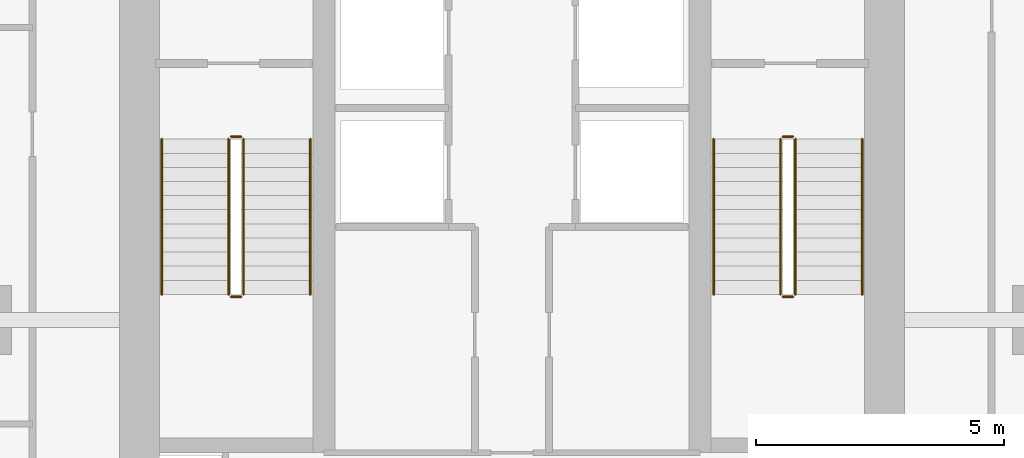
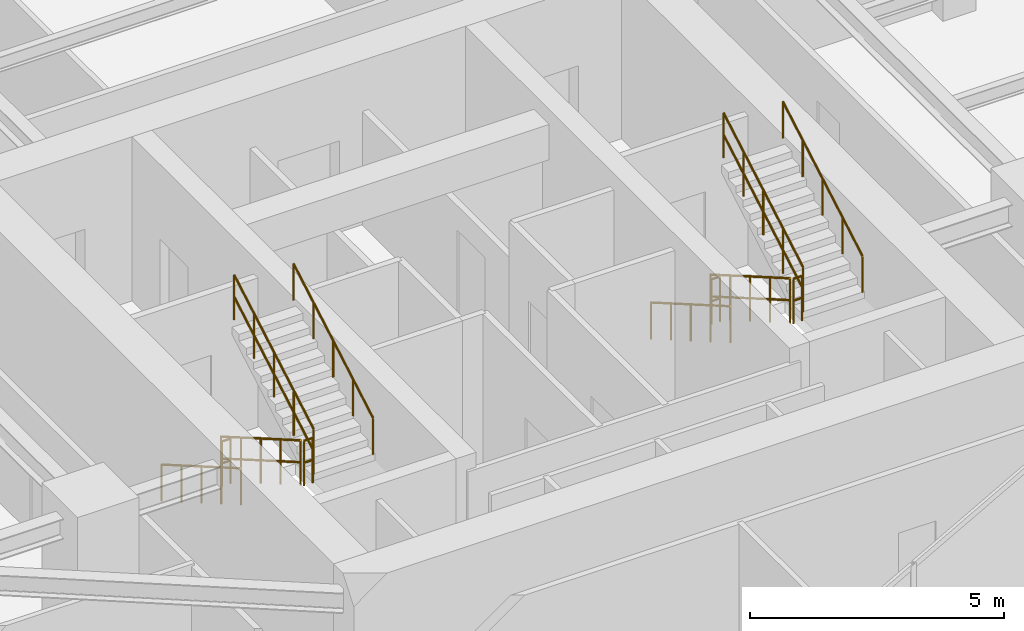
# One storey, part 21 of 22: 12 railings.
"""IFC4 building model written with IfcOpenShell, lengths in metres."""

import ifcopenshell
import ifcopenshell.guid

model = None  # the IFC model being written
_history = None  # IfcOwnerHistory: only IFC2X3 demands one
_inside = {}  # id of a spatial element -> (the spatial element, [elements in it])
_under = {}  # id of a project, library or spatial element -> (it, [spatial elements below it])
_declared = {}  # id of a project -> (the project, [libraries it declares])
_typed = {}  # id of a type object -> (the type object, [elements of that type])
_made_of = {}  # id of a material, layer set ... -> (it, [elements and type objects made of it])


def new_model(schema):
    """Start an empty IFC model of exactly this schema.

    Asked for "IFC4X3", IfcOpenShell would pick the latest addendum, in which some entities
    have other attributes; the version numbers below select the first issue.
    IFC2X3 requires an IfcOwnerHistory on every rooted entity: one is made here for all.
    """
    global model, _history
    if schema == "IFC4X3":
        model = ifcopenshell.file(schema_version=(4, 3, 0, 0))
    else:
        model = ifcopenshell.file(schema=schema)
    _inside.clear()
    _under.clear()
    _declared.clear()
    _typed.clear()
    _made_of.clear()
    _history = None
    if model.schema == "IFC2X3":
        org = make("IfcOrganization", Name="unknown")
        user = make(
            "IfcPersonAndOrganization",
            ThePerson=make("IfcPerson", FamilyName="unknown"),
            TheOrganization=org,
        )
        app = make(
            "IfcApplication",
            ApplicationDeveloper=org,
            Version="unknown",
            ApplicationFullName="unknown",
            ApplicationIdentifier="unknown",
        )
        _history = make(
            "IfcOwnerHistory",
            OwningUser=user,
            OwningApplication=app,
            ChangeAction="ADDED",
            CreationDate=0,
        )
    return model


def make(cls, **values):
    """One entity of the class cls with the attributes given. An attribute that is None is left unset."""
    return model.create_entity(
        cls, **{name: value for name, value in values.items() if value is not None}
    )


def rooted(cls, **values):
    """An entity with a GlobalId (a new one), such as an element, a storey or a relation."""
    return make(cls, GlobalId=ifcopenshell.guid.new(), OwnerHistory=_history, **values)


def si_unit(unit_type, name, prefix=None):
    """IfcSIUnit, for example si_unit("LENGTHUNIT", "METRE", prefix="MILLI")."""
    return make("IfcSIUnit", UnitType=unit_type, Prefix=prefix, Name=name)


def assignment(units):
    """IfcUnitAssignment: the units of a project."""
    return None if units is None else make("IfcUnitAssignment", Units=units)


def point(xyz):
    """IfcCartesianPoint."""
    return None if xyz is None else make("IfcCartesianPoint", Coordinates=xyz)


def direction(xyz):
    """IfcDirection."""
    return None if xyz is None else make("IfcDirection", DirectionRatios=xyz)


def frame(location, z_axis=None, x_axis=None):
    """IfcAxis2Placement3D, a coordinate frame: its origin and axes. An axis left out is left unset."""
    return make(
        "IfcAxis2Placement3D",
        Location=point(location),
        Axis=direction(z_axis),
        RefDirection=direction(x_axis),
    )


def frame_2d(location, x_axis=None):
    """IfcAxis2Placement2D, a coordinate frame in the plane: its origin and x axis."""
    return make(
        "IfcAxis2Placement2D", Location=point(location), RefDirection=direction(x_axis)
    )


def origin():
    """The frame at (0, 0, 0) with its axes left unset."""
    return frame((0.0, 0.0, 0.0))


def origin_2d():
    """The frame at (0, 0) in the plane with its x axis left unset."""
    return frame_2d((0.0, 0.0))


def place(relative_to, where):
    """IfcLocalPlacement: puts the frame where relative to a parent placement (None: the world)."""
    return make(
        "IfcLocalPlacement", PlacementRelTo=relative_to, RelativePlacement=where
    )


def context(
    kind, dimensions, precision=None, world=None, true_north=None, identifier=None
):
    """IfcGeometricRepresentationContext, for example the 3D "Model" context."""
    return make(
        "IfcGeometricRepresentationContext",
        ContextIdentifier=identifier,
        ContextType=kind,
        CoordinateSpaceDimension=dimensions,
        Precision=precision,
        WorldCoordinateSystem=world,
        TrueNorth=true_north,
    )


def subcontext(parent, identifier, kind, view, scale=None):
    """IfcGeometricRepresentationSubContext, for example "Body" below "Model"."""
    return make(
        "IfcGeometricRepresentationSubContext",
        ContextIdentifier=identifier,
        ContextType=kind,
        ParentContext=parent,
        TargetScale=scale,
        TargetView=view,
    )


def project(units=None, contexts=None):
    """IfcProject with its units and contexts."""
    return rooted(
        "IfcProject",
        Name="project",
        RepresentationContexts=contexts,
        UnitsInContext=assignment(units),
    )


def spatial(cls, under=None, at=None, **own):
    """A site, building, storey or space (cls), placed at a placement, below another one or the project."""
    s = rooted(cls, ObjectPlacement=at, **own)
    if under is not None:
        _under.setdefault(under.id(), (under, []))[1].append(s)
    return s


def profile(cls, at=None, kind="AREA", **sizes):
    """A parametric profile (cls). Its sizes go by their IFC names, for example OverallWidth=200.0."""
    return make(cls, ProfileType=kind, Position=at, **sizes)


def circle(**sizes):
    """IfcCircleProfileDef."""
    return profile("IfcCircleProfileDef", **sizes)


def extrude(swept, where, along, depth):
    """IfcExtrudedAreaSolid: the profile swept, set in the frame where, extruded along a direction by depth."""
    return make(
        "IfcExtrudedAreaSolid",
        SweptArea=swept,
        Position=where,
        ExtrudedDirection=direction(along),
        Depth=depth,
    )


def shape(context_of_items, identifier, shape_type, items):
    """IfcShapeRepresentation: the items that make up one representation, for example the "Body"."""
    return make(
        "IfcShapeRepresentation",
        ContextOfItems=context_of_items,
        RepresentationIdentifier=identifier,
        RepresentationType=shape_type,
        Items=items,
    )


def material(Name=None, Category=None):
    """IfcMaterial."""
    return make("IfcMaterial", Name=Name, Category=Category)


def layer(
    of_material, thickness, ventilated=None, Name=None, Category=None, Priority=None
):
    """IfcMaterialLayer: one layer of a wall or slab, of a material (None: an air gap)."""
    return make(
        "IfcMaterialLayer",
        Material=of_material,
        LayerThickness=thickness,
        IsVentilated=ventilated,
        Name=Name,
        Category=Category,
        Priority=Priority,
    )


def layer_set(layers, Name=None):
    """IfcMaterialLayerSet."""
    return make("IfcMaterialLayerSet", MaterialLayers=layers, LayerSetName=Name)


def made_of(thing, what):
    """Note that an element or type object is made of a material, layer set ...; save() writes the relation."""
    if what is not None:
        _made_of.setdefault(what.id(), (what, []))[1].append(thing)
    return thing


def type_object(cls, material=None, **own):
    """A type object (cls), such as IfcWallType, which elements share."""
    return made_of(rooted(cls, **own), material)


def element(
    cls,
    number,
    at=None,
    inside=None,
    cuts=None,
    type_object=None,
    material=None,
    context=None,
    identifier="Body",
    shape_type=None,
    held_by="IfcProductDefinitionShape",
    body=None,
    shapes=None,
    **own,
):
    """One element of the class cls, such as IfcWall. Its Tag is "e" and its number.

    at: its placement. inside: the storey or other place that contains it. cuts: it is an
    opening in that element (IfcRelVoidsElement). A single representation is given by context,
    identifier, shape_type and body (its items); several are given by shapes. held_by: the class
    of the entity that holds the representations. save() writes the other relations.
    """
    e = rooted(cls, Tag="e%d" % number, ObjectPlacement=at, **own)
    if body is not None:
        shapes = [shape(context, identifier, shape_type, body)]
    if shapes is not None:
        e.Representation = make(held_by, Representations=shapes)
    if inside is not None:
        _inside.setdefault(inside.id(), (inside, []))[1].append(e)
    if cuts is not None:
        rooted(
            "IfcRelVoidsElement", RelatingBuildingElement=cuts, RelatedOpeningElement=e
        )
    if type_object is not None:
        _typed.setdefault(type_object.id(), (type_object, []))[1].append(e)
    return made_of(e, material)


def aggregate(whole, parts):
    """IfcRelAggregates: a whole, such as a stair, and the parts it consists of."""
    return rooted("IfcRelAggregates", RelatingObject=whole, RelatedObjects=parts)


def save(model, path):
    """Write the relations noted so far, then the file.

    IfcRelAggregates (storeys below a building ...), IfcRelContainedInSpatialStructure (elements
    in a storey), IfcRelDefinesByType, IfcRelAssociatesMaterial and IfcRelDeclares: one each for
    every whole, place, type object, material and project.
    """
    for whole, parts in _under.values():
        aggregate(whole, parts)
    for where, things in _inside.values():
        rooted(
            "IfcRelContainedInSpatialStructure",
            RelatedElements=things,
            RelatingStructure=where,
        )
    for kind, things in _typed.values():
        rooted("IfcRelDefinesByType", RelatedObjects=things, RelatingType=kind)
    for what, things in _made_of.values():
        rooted("IfcRelAssociatesMaterial", RelatedObjects=things, RelatingMaterial=what)
    for by, libraries in _declared.values():
        rooted("IfcRelDeclares", RelatingContext=by, RelatedDefinitions=libraries)
    model.write(path)


model = new_model("IFC4")

# Units and contexts
model_context = context("Model", 3, precision=1e-05, world=origin(), true_north=direction((0.0, 1.0)))
body_context = subcontext(model_context, "Body", "Model", "MODEL_VIEW")
ifc_project = project(units=[si_unit("LENGTHUNIT", "METRE"), si_unit("AREAUNIT", "SQUARE_METRE"), si_unit("VOLUMEUNIT", "CUBIC_METRE"), si_unit("PLANEANGLEUNIT", "RADIAN"), si_unit("MASSUNIT", "GRAM", prefix="KILO")], contexts=[model_context])

# Site, building, storey
site_placement = place(None, origin())
site = spatial("IfcSite", under=ifc_project, at=site_placement, CompositionType="ELEMENT")
building_placement = place(site_placement, origin())
building = spatial("IfcBuilding", under=site, at=building_placement, Name="Krantzveldt Concourse Tower", CompositionType="ELEMENT")
storey_placement = place(building_placement, frame((0.0, 0.0, 314.800048828125)))
storey = spatial("IfcBuildingStorey", under=building, at=storey_placement, Name="L77", CompositionType="ELEMENT", Elevation=314.800048828125)

# Railings
ifc_material = material(Name="Stainless steel 316L", Category="steel")
ifc_layer_1 = layer(ifc_material, 0.06005859375, Name="Stainless steel 316L", Category="steel")
ifc_layer_set_1 = layer_set([ifc_layer_1], Name="Stainless steel 316L (RL-GUARD-1120)")
railing_type_1 = type_object("IfcRailingType", Name="RL-GUARD-1120", PredefinedType="GUARDRAIL", material=ifc_layer_set_1)
railing_1_placement = place(storey_placement, frame((30.280029296875, 19.550048828125, 0.16455078125)))
element("IfcRailing", 1, at=railing_1_placement, inside=storey, type_object=railing_type_1, Name="L77 ST-1 stair guard 1", PredefinedType="GUARDRAIL", context=body_context, shape_type="SweptSolid", body=[
    extrude(circle(Radius=0.02392578125, at=origin_2d()), frame((0.0, 0.0, 1.076171875), z_axis=(0.0, -0.865989039225, 0.500062979975), x_axis=(1.0, 0.0, 0.0)), (0.0, 0.0, 1.0), 3.6201171875),
    extrude(circle(Radius=0.02392578125, at=origin_2d()), frame((0.0, 0.0, 0.550048828125), z_axis=(0.0, -0.865989039225, 0.500062979975), x_axis=(1.0, 0.0, 0.0)), (0.0, 0.0, 1.0), 3.6201171875),
    extrude(circle(Radius=0.02099609375, at=origin_2d()), origin(), (0.0, 0.0, 1.0), 1.052001953125),
    extrude(circle(Radius=0.02099609375, at=origin_2d()), frame((0.0, -0.78369140625, 0.45263671875)), (0.0, 0.0, 1.0), 1.052001953125),
    extrude(circle(Radius=0.02099609375, at=origin_2d()), frame((0.0, -1.5673828125, 0.9052734375)), (0.0, 0.0, 1.0), 1.052001953125),
    extrude(circle(Radius=0.02099609375, at=origin_2d()), frame((0.0, -2.351318359375, 1.357666015625)), (0.0, 0.0, 1.0), 1.052001953125),
    extrude(circle(Radius=0.02099609375, at=origin_2d()), frame((0.0, -3.135009765625, 1.810302734375)), (0.0, 0.0, 1.0), 1.052001953125),
])
railing_2_placement = place(storey_placement, frame((30.330078125, 16.364990234375, 1.974853515625)))
element("IfcRailing", 2, at=railing_2_placement, inside=storey, type_object=railing_type_1, Name="L77 ST-1 stair guard 2", PredefinedType="GUARDRAIL", context=body_context, shape_type="SweptSolid", body=[
    extrude(circle(Radius=0.02392578125, at=origin_2d()), frame((0.0, 0.0, 1.076171875), z_axis=(1.0, 0.0, 0.0), x_axis=(0.0, 1.0, 0.0)), (0.0, 0.0, 1.0), 0.199951171875),
    extrude(circle(Radius=0.02392578125, at=origin_2d()), frame((0.0, 0.0, 0.550048828125), z_axis=(1.0, 0.0, 0.0), x_axis=(0.0, 1.0, 0.0)), (0.0, 0.0, 1.0), 0.199951171875),
    extrude(circle(Radius=0.02099609375, at=origin_2d()), origin(), (0.0, 0.0, 1.0), 1.052001953125),
    extrude(circle(Radius=0.02099609375, at=origin_2d()), frame((0.199951171875, 0.0, 0.0)), (0.0, 0.0, 1.0), 1.052001953125),
])
railing_3_placement = place(storey_placement, frame((30.580078125, 16.4150390625, 2.1396484375)))
element("IfcRailing", 3, at=railing_3_placement, inside=storey, type_object=railing_type_1, Name="L77 ST-1 stair guard 3", PredefinedType="GUARDRAIL", context=body_context, shape_type="SweptSolid", body=[
    extrude(circle(Radius=0.02392578125, at=origin_2d()), frame((0.0, 0.0, 1.076171875), z_axis=(0.0, 0.865989039225, 0.500062979975), x_axis=(-1.0, 0.0, 0.0)), (0.0, 0.0, 1.0), 3.6201171875),
    extrude(circle(Radius=0.02392578125, at=origin_2d()), frame((0.0, 0.0, 0.550048828125), z_axis=(0.0, 0.865989039225, 0.500062979975), x_axis=(-1.0, 0.0, 0.0)), (0.0, 0.0, 1.0), 3.6201171875),
    extrude(circle(Radius=0.02099609375, at=origin_2d()), origin(), (0.0, 0.0, 1.0), 1.052001953125),
    extrude(circle(Radius=0.02099609375, at=origin_2d()), frame((0.0, 0.78369140625, 0.45263671875)), (0.0, 0.0, 1.0), 1.052001953125),
    extrude(circle(Radius=0.02099609375, at=origin_2d()), frame((0.0, 1.5673828125, 0.9052734375)), (0.0, 0.0, 1.0), 1.052001953125),
    extrude(circle(Radius=0.02099609375, at=origin_2d()), frame((0.0, 2.351318359375, 1.357666015625)), (0.0, 0.0, 1.0), 1.052001953125),
    extrude(circle(Radius=0.02099609375, at=origin_2d()), frame((0.0, 3.135009765625, 1.810302734375)), (0.0, 0.0, 1.0), 1.052001953125),
])
railing_4_placement = place(storey_placement, frame((30.330078125, 19.60009765625, 0.0)))
element("IfcRailing", 4, at=railing_4_placement, inside=storey, type_object=railing_type_1, Name="L77 ST-1 stair guard 4", PredefinedType="GUARDRAIL", context=body_context, shape_type="SweptSolid", body=[
    extrude(circle(Radius=0.02392578125, at=origin_2d()), frame((0.0, 0.0, 1.076171875), z_axis=(1.0, 0.0, 0.0), x_axis=(0.0, 1.0, 0.0)), (0.0, 0.0, 1.0), 0.199951171875),
    extrude(circle(Radius=0.02392578125, at=origin_2d()), frame((0.0, 0.0, 0.550048828125), z_axis=(1.0, 0.0, 0.0), x_axis=(0.0, 1.0, 0.0)), (0.0, 0.0, 1.0), 0.199951171875),
    extrude(circle(Radius=0.02099609375, at=origin_2d()), origin(), (0.0, 0.0, 1.0), 1.052001953125),
    extrude(circle(Radius=0.02099609375, at=origin_2d()), frame((0.199951171875, 0.0, 0.0)), (0.0, 0.0, 1.0), 1.052001953125),
])
railing_5_placement = place(storey_placement, frame((41.419921875, 19.550048828125, 0.16455078125)))
element("IfcRailing", 5, at=railing_5_placement, inside=storey, type_object=railing_type_1, Name="L77 ST-2 stair guard 1", PredefinedType="GUARDRAIL", context=body_context, shape_type="SweptSolid", body=[
    extrude(circle(Radius=0.02392578125, at=origin_2d()), frame((0.0, 0.0, 1.076171875), z_axis=(0.0, -0.865989039225, 0.500062979975), x_axis=(1.0, 0.0, 0.0)), (0.0, 0.0, 1.0), 3.6201171875),
    extrude(circle(Radius=0.02392578125, at=origin_2d()), frame((0.0, 0.0, 0.550048828125), z_axis=(0.0, -0.865989039225, 0.500062979975), x_axis=(1.0, 0.0, 0.0)), (0.0, 0.0, 1.0), 3.6201171875),
    extrude(circle(Radius=0.02099609375, at=origin_2d()), origin(), (0.0, 0.0, 1.0), 1.052001953125),
    extrude(circle(Radius=0.02099609375, at=origin_2d()), frame((0.0, -0.78369140625, 0.45263671875)), (0.0, 0.0, 1.0), 1.052001953125),
    extrude(circle(Radius=0.02099609375, at=origin_2d()), frame((0.0, -1.5673828125, 0.9052734375)), (0.0, 0.0, 1.0), 1.052001953125),
    extrude(circle(Radius=0.02099609375, at=origin_2d()), frame((0.0, -2.351318359375, 1.357666015625)), (0.0, 0.0, 1.0), 1.052001953125),
    extrude(circle(Radius=0.02099609375, at=origin_2d()), frame((0.0, -3.135009765625, 1.810302734375)), (0.0, 0.0, 1.0), 1.052001953125),
])
railing_6_placement = place(storey_placement, frame((41.469970703125, 16.364990234375, 1.974853515625)))
element("IfcRailing", 6, at=railing_6_placement, inside=storey, type_object=railing_type_1, Name="L77 ST-2 stair guard 2", PredefinedType="GUARDRAIL", context=body_context, shape_type="SweptSolid", body=[
    extrude(circle(Radius=0.02392578125, at=origin_2d()), frame((0.0, 0.0, 1.076171875), z_axis=(1.0, 0.0, 0.0), x_axis=(0.0, 1.0, 0.0)), (0.0, 0.0, 1.0), 0.199951171875),
    extrude(circle(Radius=0.02392578125, at=origin_2d()), frame((0.0, 0.0, 0.550048828125), z_axis=(1.0, 0.0, 0.0), x_axis=(0.0, 1.0, 0.0)), (0.0, 0.0, 1.0), 0.199951171875),
    extrude(circle(Radius=0.02099609375, at=origin_2d()), origin(), (0.0, 0.0, 1.0), 1.052001953125),
    extrude(circle(Radius=0.02099609375, at=origin_2d()), frame((0.199951171875, 0.0, 0.0)), (0.0, 0.0, 1.0), 1.052001953125),
])
railing_7_placement = place(storey_placement, frame((41.719970703125, 16.4150390625, 2.1396484375)))
element("IfcRailing", 7, at=railing_7_placement, inside=storey, type_object=railing_type_1, Name="L77 ST-2 stair guard 3", PredefinedType="GUARDRAIL", context=body_context, shape_type="SweptSolid", body=[
    extrude(circle(Radius=0.02392578125, at=origin_2d()), frame((0.0, 0.0, 1.076171875), z_axis=(0.0, 0.865989039225, 0.500062979975), x_axis=(-1.0, 0.0, 0.0)), (0.0, 0.0, 1.0), 3.6201171875),
    extrude(circle(Radius=0.02392578125, at=origin_2d()), frame((0.0, 0.0, 0.550048828125), z_axis=(0.0, 0.865989039225, 0.500062979975), x_axis=(-1.0, 0.0, 0.0)), (0.0, 0.0, 1.0), 3.6201171875),
    extrude(circle(Radius=0.02099609375, at=origin_2d()), origin(), (0.0, 0.0, 1.0), 1.052001953125),
    extrude(circle(Radius=0.02099609375, at=origin_2d()), frame((0.0, 0.78369140625, 0.45263671875)), (0.0, 0.0, 1.0), 1.052001953125),
    extrude(circle(Radius=0.02099609375, at=origin_2d()), frame((0.0, 1.5673828125, 0.9052734375)), (0.0, 0.0, 1.0), 1.052001953125),
    extrude(circle(Radius=0.02099609375, at=origin_2d()), frame((0.0, 2.351318359375, 1.357666015625)), (0.0, 0.0, 1.0), 1.052001953125),
    extrude(circle(Radius=0.02099609375, at=origin_2d()), frame((0.0, 3.135009765625, 1.810302734375)), (0.0, 0.0, 1.0), 1.052001953125),
])
railing_8_placement = place(storey_placement, frame((41.469970703125, 19.60009765625, 0.0)))
element("IfcRailing", 8, at=railing_8_placement, inside=storey, type_object=railing_type_1, Name="L77 ST-2 stair guard 4", PredefinedType="GUARDRAIL", context=body_context, shape_type="SweptSolid", body=[
    extrude(circle(Radius=0.02392578125, at=origin_2d()), frame((0.0, 0.0, 1.076171875), z_axis=(1.0, 0.0, 0.0), x_axis=(0.0, 1.0, 0.0)), (0.0, 0.0, 1.0), 0.199951171875),
    extrude(circle(Radius=0.02392578125, at=origin_2d()), frame((0.0, 0.0, 0.550048828125), z_axis=(1.0, 0.0, 0.0), x_axis=(0.0, 1.0, 0.0)), (0.0, 0.0, 1.0), 0.199951171875),
    extrude(circle(Radius=0.02099609375, at=origin_2d()), origin(), (0.0, 0.0, 1.0), 1.052001953125),
    extrude(circle(Radius=0.02099609375, at=origin_2d()), frame((0.199951171875, 0.0, 0.0)), (0.0, 0.0, 1.0), 1.052001953125),
])
ifc_layer_2 = layer(ifc_material, 0.050048828125, Name="Stainless steel 316L", Category="steel")
ifc_layer_set_2 = layer_set([ifc_layer_2], Name="Stainless steel 316L (RL-HANDRAIL-920)")
railing_type_2 = type_object("IfcRailingType", Name="RL-HANDRAIL-920", PredefinedType="HANDRAIL", material=ifc_layer_set_2)
railing_9_placement = place(storey_placement, frame((28.929931640625, 19.550048828125, 0.16455078125)))
element("IfcRailing", 9, at=railing_9_placement, inside=storey, type_object=railing_type_2, Name="L77 ST-1 stair handrail 1", PredefinedType="HANDRAIL", context=body_context, shape_type="SweptSolid", body=[
    extrude(circle(Radius=0.02392578125, at=origin_2d()), frame((0.0, 0.0, 0.8759765625), z_axis=(0.0, -0.865989039225, 0.500062979975), x_axis=(1.0, 0.0, 0.0)), (0.0, 0.0, 1.0), 3.6201171875),
    extrude(circle(Radius=0.02099609375, at=origin_2d()), origin(), (0.0, 0.0, 1.0), 0.851806640625),
    extrude(circle(Radius=0.02099609375, at=origin_2d()), frame((0.0, -0.78369140625, 0.45263671875)), (0.0, 0.0, 1.0), 0.851806640625),
    extrude(circle(Radius=0.02099609375, at=origin_2d()), frame((0.0, -1.5673828125, 0.9052734375)), (0.0, 0.0, 1.0), 0.851806640625),
    extrude(circle(Radius=0.02099609375, at=origin_2d()), frame((0.0, -2.351318359375, 1.357666015625)), (0.0, 0.0, 1.0), 0.851806640625),
    extrude(circle(Radius=0.02099609375, at=origin_2d()), frame((0.0, -3.135009765625, 1.810302734375)), (0.0, 0.0, 1.0), 0.851806640625),
])
railing_10_placement = place(storey_placement, frame((31.929931640625, 16.4150390625, 2.1396484375)))
element("IfcRailing", 10, at=railing_10_placement, inside=storey, type_object=railing_type_2, Name="L77 ST-1 stair handrail 2", PredefinedType="HANDRAIL", context=body_context, shape_type="SweptSolid", body=[
    extrude(circle(Radius=0.02392578125, at=origin_2d()), frame((0.0, 0.0, 0.8759765625), z_axis=(0.0, 0.865989039225, 0.500062979975), x_axis=(-1.0, 0.0, 0.0)), (0.0, 0.0, 1.0), 3.6201171875),
    extrude(circle(Radius=0.02099609375, at=origin_2d()), origin(), (0.0, 0.0, 1.0), 0.851806640625),
    extrude(circle(Radius=0.02099609375, at=origin_2d()), frame((0.0, 0.78369140625, 0.45263671875)), (0.0, 0.0, 1.0), 0.851806640625),
    extrude(circle(Radius=0.02099609375, at=origin_2d()), frame((0.0, 1.5673828125, 0.9052734375)), (0.0, 0.0, 1.0), 0.851806640625),
    extrude(circle(Radius=0.02099609375, at=origin_2d()), frame((0.0, 2.351318359375, 1.357666015625)), (0.0, 0.0, 1.0), 0.851806640625),
    extrude(circle(Radius=0.02099609375, at=origin_2d()), frame((0.0, 3.135009765625, 1.810302734375)), (0.0, 0.0, 1.0), 0.851806640625),
])
railing_11_placement = place(storey_placement, frame((40.070068359375, 19.550048828125, 0.16455078125)))
element("IfcRailing", 11, at=railing_11_placement, inside=storey, type_object=railing_type_2, Name="L77 ST-2 stair handrail 1", PredefinedType="HANDRAIL", context=body_context, shape_type="SweptSolid", body=[
    extrude(circle(Radius=0.02392578125, at=origin_2d()), frame((0.0, 0.0, 0.8759765625), z_axis=(0.0, -0.865989039225, 0.500062979975), x_axis=(1.0, 0.0, 0.0)), (0.0, 0.0, 1.0), 3.6201171875),
    extrude(circle(Radius=0.02099609375, at=origin_2d()), origin(), (0.0, 0.0, 1.0), 0.851806640625),
    extrude(circle(Radius=0.02099609375, at=origin_2d()), frame((0.0, -0.78369140625, 0.45263671875)), (0.0, 0.0, 1.0), 0.851806640625),
    extrude(circle(Radius=0.02099609375, at=origin_2d()), frame((0.0, -1.5673828125, 0.9052734375)), (0.0, 0.0, 1.0), 0.851806640625),
    extrude(circle(Radius=0.02099609375, at=origin_2d()), frame((0.0, -2.351318359375, 1.357666015625)), (0.0, 0.0, 1.0), 0.851806640625),
    extrude(circle(Radius=0.02099609375, at=origin_2d()), frame((0.0, -3.135009765625, 1.810302734375)), (0.0, 0.0, 1.0), 0.851806640625),
])
railing_12_placement = place(storey_placement, frame((43.070068359375, 16.4150390625, 2.1396484375)))
element("IfcRailing", 12, at=railing_12_placement, inside=storey, type_object=railing_type_2, Name="L77 ST-2 stair handrail 2", PredefinedType="HANDRAIL", context=body_context, shape_type="SweptSolid", body=[
    extrude(circle(Radius=0.02392578125, at=origin_2d()), frame((0.0, 0.0, 0.8759765625), z_axis=(0.0, 0.865989039225, 0.500062979975), x_axis=(-1.0, 0.0, 0.0)), (0.0, 0.0, 1.0), 3.6201171875),
    extrude(circle(Radius=0.02099609375, at=origin_2d()), origin(), (0.0, 0.0, 1.0), 0.851806640625),
    extrude(circle(Radius=0.02099609375, at=origin_2d()), frame((0.0, 0.78369140625, 0.45263671875)), (0.0, 0.0, 1.0), 0.851806640625),
    extrude(circle(Radius=0.02099609375, at=origin_2d()), frame((0.0, 1.5673828125, 0.9052734375)), (0.0, 0.0, 1.0), 0.851806640625),
    extrude(circle(Radius=0.02099609375, at=origin_2d()), frame((0.0, 2.351318359375, 1.357666015625)), (0.0, 0.0, 1.0), 0.851806640625),
    extrude(circle(Radius=0.02099609375, at=origin_2d()), frame((0.0, 3.135009765625, 1.810302734375)), (0.0, 0.0, 1.0), 0.851806640625),
])

save(model, "model.ifc")
